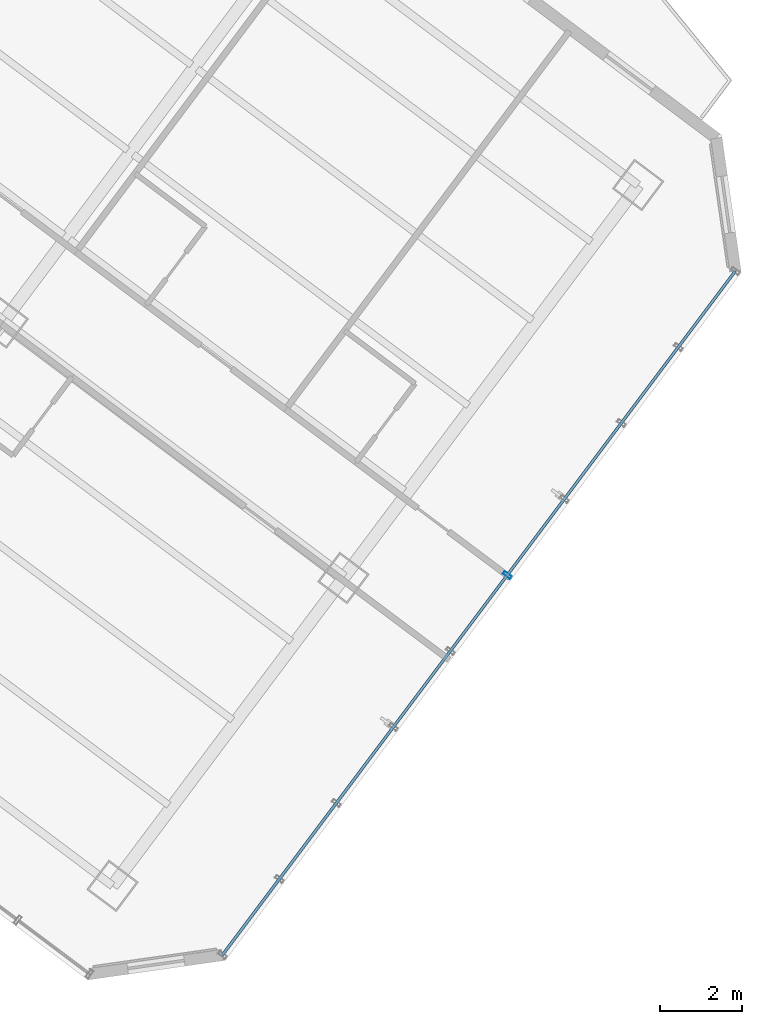
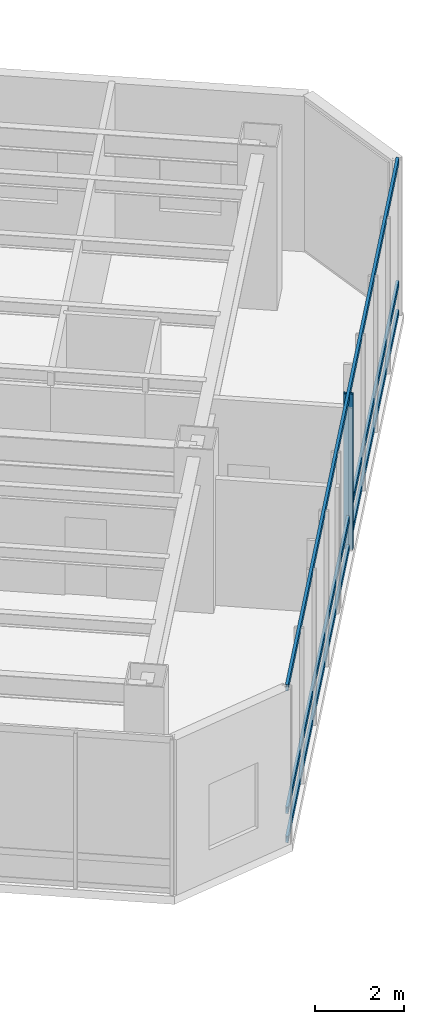
# One storey, part 10 of 27: 4 members, 1 element without a shape of its own.
"""IFC4 building model written with IfcOpenShell, lengths in metres."""

from ifc_helpers import new_model, si_unit, direction, frame, origin, origin_2d, place, context, subcontext, project, spatial, hollow_rectangle, extrude, material, layer, layer_set, material_profile, profile_set, type_object, element, aggregate, save


model = new_model("IFC4")

# Units and contexts
model_context = context("Model", 3, precision=1e-05, world=origin(), true_north=direction((0.0, 1.0)))
body_context = subcontext(model_context, "Body", "Model", "MODEL_VIEW")
ifc_project = project(units=[si_unit("LENGTHUNIT", "METRE"), si_unit("AREAUNIT", "SQUARE_METRE"), si_unit("VOLUMEUNIT", "CUBIC_METRE"), si_unit("PLANEANGLEUNIT", "RADIAN"), si_unit("MASSUNIT", "GRAM", prefix="KILO")], contexts=[model_context])

# Site, building, storey
site_placement = place(None, origin())
site = spatial("IfcSite", under=ifc_project, at=site_placement, CompositionType="ELEMENT")
building_placement = place(site_placement, origin())
building = spatial("IfcBuilding", under=site, at=building_placement, Name="Hatsunagi Terrace Concourse", CompositionType="ELEMENT")
storey_placement = place(building_placement, frame((0.0, 0.0, 70.10009765625)))
storey = spatial("IfcBuildingStorey", under=building, at=storey_placement, Name="L18", CompositionType="ELEMENT", Elevation=70.10009765625)

# Curtain wall, members
ifc_material_1 = material(Name="Anodised Aluminium Alloy 6063-T5", Category="aluminium")
ifc_layer = layer(ifc_material_1, 0.199951171875)
ifc_layer_set = layer_set([ifc_layer], Name="SkyLobbyAtrium_CW05")
curtain_wall_type = type_object("IfcCurtainWallType", Name="SkyLobbyAtrium_CW05", PredefinedType="NOTDEFINED", material=ifc_layer_set)
curtain_wall_placement = place(storey_placement, origin())
curtain_wall = element("IfcCurtainWall", 1, at=curtain_wall_placement, inside=storey, type_object=curtain_wall_type, Name="Unitised Curtain Wall CW-05 CW-L18-03", PredefinedType="NOTDEFINED")
ifc_material_2 = material(Name="Anodised Aluminium Alloy 6063-T5", Category="aluminium")
ifc_material_profile_1 = material_profile(ifc_material_2, hollow_rectangle(XDim=0.080078125, YDim=0.219970703125, WallThickness=0.0048828125, at=origin_2d()), Name="ALU-MUL-220x80x5")
ifc_profile_set_1 = profile_set([ifc_material_profile_1], Name="Anodised Aluminium Alloy 6063-T5")
member_type_1 = type_object("IfcMemberType", Name="CurtainWallMullion_Heavy_220x80", PredefinedType="MULLION", material=ifc_profile_set_1)
member_1_placement = place(storey_placement, frame((63.52392578125, 12.23193359375, 0.0), z_axis=(0.0, 0.0, 1.0), x_axis=(-0.599969314634, -0.800023013105, 0.0)))
member_1 = element("IfcMember", 2, at=member_1_placement, type_object=member_type_1, Name="Curtain Wall Mullion MUL-01", PredefinedType="MULLION", context=body_context, shape_type="SweptSolid", body=[
    extrude(hollow_rectangle(XDim=0.080078125, YDim=0.219970703125, WallThickness=0.0048828125, at=origin_2d()), origin(), (0.0, 0.0, 1.0), 4.27978515625),
])
ifc_material_3 = material(Name="Anodised Aluminium Alloy 6063-T5", Category="aluminium")
ifc_material_profile_2 = material_profile(ifc_material_3, hollow_rectangle(XDim=0.070068359375, YDim=0.179931640625, WallThickness=0.00390625, at=origin_2d()), Name="ALU-TRN-180x70x4")
ifc_profile_set_2 = profile_set([ifc_material_profile_2], Name="Anodised Aluminium Alloy 6063-T5")
member_type_2 = type_object("IfcMemberType", Name="CurtainWallTransom_Heavy_180x70", PredefinedType="USERDEFINED", material=ifc_profile_set_2)
member_2_placement = place(storey_placement, frame((69.093017578125, 19.657958984375, 0.0498046875), z_axis=(-0.599970072971, -0.800022444397, 0.0), x_axis=(0.800022444397, -0.599970072971, 0.0)))
member_2 = element("IfcMember", 3, at=member_2_placement, type_object=member_type_2, Name="Curtain Wall Transom TRN-01", ObjectType="TRANSOM", PredefinedType="USERDEFINED", context=body_context, shape_type="SweptSolid", body=[
    extrude(hollow_rectangle(XDim=0.070068359375, YDim=0.179931640625, WallThickness=0.00390625, at=origin_2d()), origin(), (0.0, 0.0, 1.0), 20.884521484375),
])
member_3_placement = place(storey_placement, frame((69.093017578125, 19.657958984375, 0.849853515625), z_axis=(-0.599970072971, -0.800022444397, 0.0), x_axis=(0.800022444397, -0.599970072971, 0.0)))
member_3 = element("IfcMember", 4, at=member_3_placement, type_object=member_type_2, Name="Curtain Wall Transom TRN-01", ObjectType="TRANSOM", PredefinedType="USERDEFINED", context=body_context, shape_type="SweptSolid", body=[
    extrude(hollow_rectangle(XDim=0.070068359375, YDim=0.179931640625, WallThickness=0.00390625, at=origin_2d()), origin(), (0.0, 0.0, 1.0), 20.884521484375),
])
member_4_placement = place(storey_placement, frame((69.093017578125, 19.657958984375, 4.22998046875), z_axis=(-0.599970072971, -0.800022444397, 0.0), x_axis=(0.800022444397, -0.599970072971, 0.0)))
member_4 = element("IfcMember", 5, at=member_4_placement, type_object=member_type_2, Name="Curtain Wall Transom TRN-01", ObjectType="TRANSOM", PredefinedType="USERDEFINED", context=body_context, shape_type="SweptSolid", body=[
    extrude(hollow_rectangle(XDim=0.070068359375, YDim=0.179931640625, WallThickness=0.00390625, at=origin_2d()), origin(), (0.0, 0.0, 1.0), 20.884521484375),
])
aggregate(curtain_wall, [member_1, member_2, member_3, member_4])

save(model, "model.ifc")
